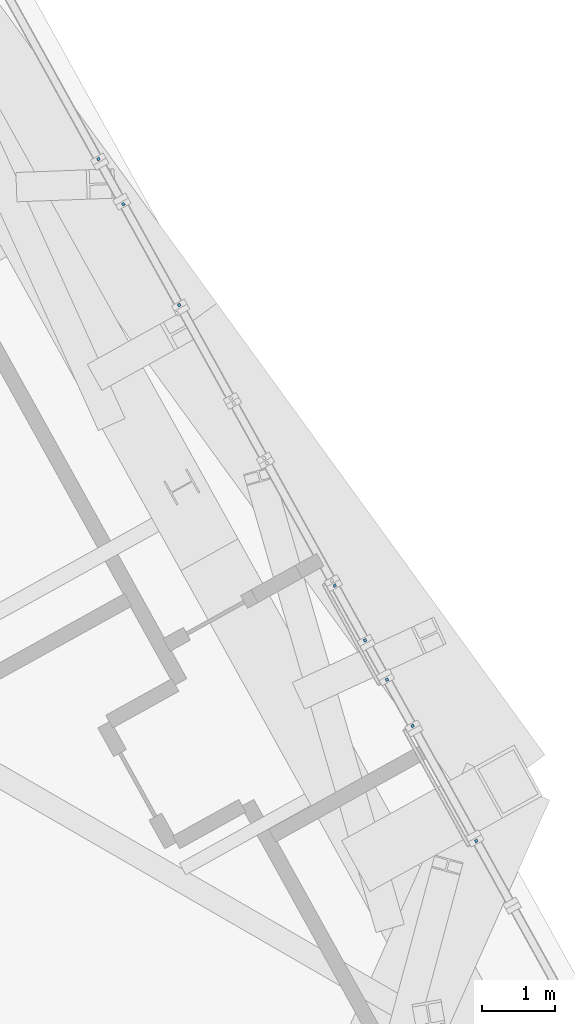
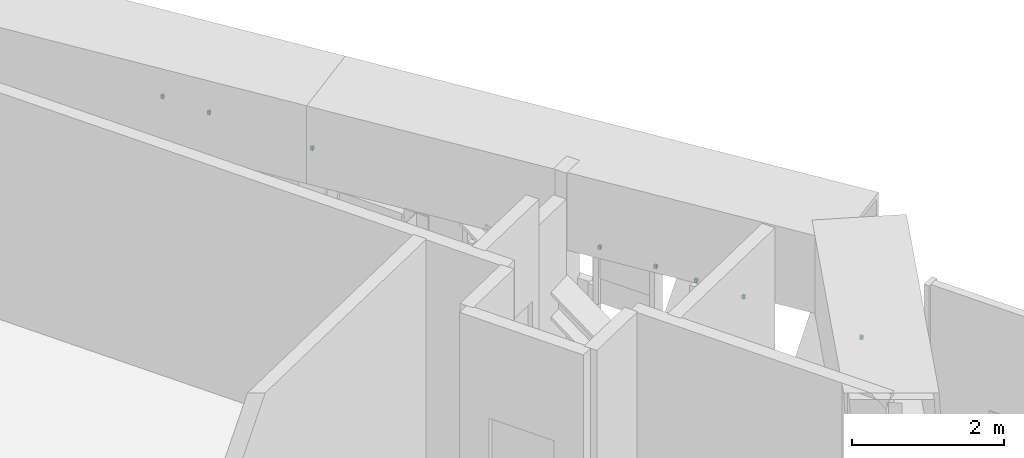
# One storey, part 24 of 28: 8 discrete accessories.
"""IFC4 building model written with IfcOpenShell, lengths in metres."""

import ifcopenshell
import ifcopenshell.guid

model = None  # the IFC model being written
_history = None  # IfcOwnerHistory: only IFC2X3 demands one
_inside = {}  # id of a spatial element -> (the spatial element, [elements in it])
_under = {}  # id of a project, library or spatial element -> (it, [spatial elements below it])
_declared = {}  # id of a project -> (the project, [libraries it declares])
_typed = {}  # id of a type object -> (the type object, [elements of that type])
_made_of = {}  # id of a material, layer set ... -> (it, [elements and type objects made of it])


def new_model(schema):
    """Start an empty IFC model of exactly this schema.

    Asked for "IFC4X3", IfcOpenShell would pick the latest addendum, in which some entities
    have other attributes; the version numbers below select the first issue.
    IFC2X3 requires an IfcOwnerHistory on every rooted entity: one is made here for all.
    """
    global model, _history
    if schema == "IFC4X3":
        model = ifcopenshell.file(schema_version=(4, 3, 0, 0))
    else:
        model = ifcopenshell.file(schema=schema)
    _inside.clear()
    _under.clear()
    _declared.clear()
    _typed.clear()
    _made_of.clear()
    _history = None
    if model.schema == "IFC2X3":
        org = make("IfcOrganization", Name="unknown")
        user = make(
            "IfcPersonAndOrganization",
            ThePerson=make("IfcPerson", FamilyName="unknown"),
            TheOrganization=org,
        )
        app = make(
            "IfcApplication",
            ApplicationDeveloper=org,
            Version="unknown",
            ApplicationFullName="unknown",
            ApplicationIdentifier="unknown",
        )
        _history = make(
            "IfcOwnerHistory",
            OwningUser=user,
            OwningApplication=app,
            ChangeAction="ADDED",
            CreationDate=0,
        )
    return model


def make(cls, **values):
    """One entity of the class cls with the attributes given. An attribute that is None is left unset."""
    return model.create_entity(
        cls, **{name: value for name, value in values.items() if value is not None}
    )


def rooted(cls, **values):
    """An entity with a GlobalId (a new one), such as an element, a storey or a relation."""
    return make(cls, GlobalId=ifcopenshell.guid.new(), OwnerHistory=_history, **values)


def si_unit(unit_type, name, prefix=None):
    """IfcSIUnit, for example si_unit("LENGTHUNIT", "METRE", prefix="MILLI")."""
    return make("IfcSIUnit", UnitType=unit_type, Prefix=prefix, Name=name)


def assignment(units):
    """IfcUnitAssignment: the units of a project."""
    return None if units is None else make("IfcUnitAssignment", Units=units)


def point(xyz):
    """IfcCartesianPoint."""
    return None if xyz is None else make("IfcCartesianPoint", Coordinates=xyz)


def direction(xyz):
    """IfcDirection."""
    return None if xyz is None else make("IfcDirection", DirectionRatios=xyz)


def frame(location, z_axis=None, x_axis=None):
    """IfcAxis2Placement3D, a coordinate frame: its origin and axes. An axis left out is left unset."""
    return make(
        "IfcAxis2Placement3D",
        Location=point(location),
        Axis=direction(z_axis),
        RefDirection=direction(x_axis),
    )


def frame_2d(location, x_axis=None):
    """IfcAxis2Placement2D, a coordinate frame in the plane: its origin and x axis."""
    return make(
        "IfcAxis2Placement2D", Location=point(location), RefDirection=direction(x_axis)
    )


def origin():
    """The frame at (0, 0, 0) with its axes left unset."""
    return frame((0.0, 0.0, 0.0))


def origin_2d():
    """The frame at (0, 0) in the plane with its x axis left unset."""
    return frame_2d((0.0, 0.0))


def place(relative_to, where):
    """IfcLocalPlacement: puts the frame where relative to a parent placement (None: the world)."""
    return make(
        "IfcLocalPlacement", PlacementRelTo=relative_to, RelativePlacement=where
    )


def context(
    kind, dimensions, precision=None, world=None, true_north=None, identifier=None
):
    """IfcGeometricRepresentationContext, for example the 3D "Model" context."""
    return make(
        "IfcGeometricRepresentationContext",
        ContextIdentifier=identifier,
        ContextType=kind,
        CoordinateSpaceDimension=dimensions,
        Precision=precision,
        WorldCoordinateSystem=world,
        TrueNorth=true_north,
    )


def subcontext(parent, identifier, kind, view, scale=None):
    """IfcGeometricRepresentationSubContext, for example "Body" below "Model"."""
    return make(
        "IfcGeometricRepresentationSubContext",
        ContextIdentifier=identifier,
        ContextType=kind,
        ParentContext=parent,
        TargetScale=scale,
        TargetView=view,
    )


def project(units=None, contexts=None):
    """IfcProject with its units and contexts."""
    return rooted(
        "IfcProject",
        Name="project",
        RepresentationContexts=contexts,
        UnitsInContext=assignment(units),
    )


def spatial(cls, under=None, at=None, **own):
    """A site, building, storey or space (cls), placed at a placement, below another one or the project."""
    s = rooted(cls, ObjectPlacement=at, **own)
    if under is not None:
        _under.setdefault(under.id(), (under, []))[1].append(s)
    return s


def profile(cls, at=None, kind="AREA", **sizes):
    """A parametric profile (cls). Its sizes go by their IFC names, for example OverallWidth=200.0."""
    return make(cls, ProfileType=kind, Position=at, **sizes)


def rectangle(**sizes):
    """IfcRectangleProfileDef."""
    return profile("IfcRectangleProfileDef", **sizes)


def extrude(swept, where, along, depth):
    """IfcExtrudedAreaSolid: the profile swept, set in the frame where, extruded along a direction by depth."""
    return make(
        "IfcExtrudedAreaSolid",
        SweptArea=swept,
        Position=where,
        ExtrudedDirection=direction(along),
        Depth=depth,
    )


def shape(context_of_items, identifier, shape_type, items):
    """IfcShapeRepresentation: the items that make up one representation, for example the "Body"."""
    return make(
        "IfcShapeRepresentation",
        ContextOfItems=context_of_items,
        RepresentationIdentifier=identifier,
        RepresentationType=shape_type,
        Items=items,
    )


def source(mapping_origin, context_of_items, identifier, shape_type, items):
    """IfcRepresentationMap: a shape defined once, which mapped items show again and again."""
    return make(
        "IfcRepresentationMap",
        MappingOrigin=mapping_origin,
        MappedRepresentation=shape(context_of_items, identifier, shape_type, items),
    )


def transform(
    local_origin,
    x_axis=None,
    y_axis=None,
    z_axis=None,
    scale=None,
    scale2=None,
    scale3=None,
    uniform=True,
):
    """IfcCartesianTransformationOperator3D, or its non-uniform kind. x_axis, y_axis, z_axis: its Axis1, 2, 3."""
    if uniform:
        return make(
            "IfcCartesianTransformationOperator3D",
            Axis1=direction(x_axis),
            Axis2=direction(y_axis),
            LocalOrigin=point(local_origin),
            Scale=scale,
            Axis3=direction(z_axis),
        )
    return make(
        "IfcCartesianTransformationOperator3DnonUniform",
        Axis1=direction(x_axis),
        Axis2=direction(y_axis),
        LocalOrigin=point(local_origin),
        Scale=scale,
        Axis3=direction(z_axis),
        Scale2=scale2,
        Scale3=scale3,
    )


def mapped(mapping_source, mapping_target):
    """IfcMappedItem: shows the shape of a source again, moved by a transform."""
    return make(
        "IfcMappedItem", MappingSource=mapping_source, MappingTarget=mapping_target
    )


def material(Name=None, Category=None):
    """IfcMaterial."""
    return make("IfcMaterial", Name=Name, Category=Category)


def made_of(thing, what):
    """Note that an element or type object is made of a material, layer set ...; save() writes the relation."""
    if what is not None:
        _made_of.setdefault(what.id(), (what, []))[1].append(thing)
    return thing


def element(
    cls,
    number,
    at=None,
    inside=None,
    cuts=None,
    type_object=None,
    material=None,
    context=None,
    identifier="Body",
    shape_type=None,
    held_by="IfcProductDefinitionShape",
    body=None,
    shapes=None,
    **own,
):
    """One element of the class cls, such as IfcWall. Its Tag is "e" and its number.

    at: its placement. inside: the storey or other place that contains it. cuts: it is an
    opening in that element (IfcRelVoidsElement). A single representation is given by context,
    identifier, shape_type and body (its items); several are given by shapes. held_by: the class
    of the entity that holds the representations. save() writes the other relations.
    """
    e = rooted(cls, Tag="e%d" % number, ObjectPlacement=at, **own)
    if body is not None:
        shapes = [shape(context, identifier, shape_type, body)]
    if shapes is not None:
        e.Representation = make(held_by, Representations=shapes)
    if inside is not None:
        _inside.setdefault(inside.id(), (inside, []))[1].append(e)
    if cuts is not None:
        rooted(
            "IfcRelVoidsElement", RelatingBuildingElement=cuts, RelatedOpeningElement=e
        )
    if type_object is not None:
        _typed.setdefault(type_object.id(), (type_object, []))[1].append(e)
    return made_of(e, material)


def aggregate(whole, parts):
    """IfcRelAggregates: a whole, such as a stair, and the parts it consists of."""
    return rooted("IfcRelAggregates", RelatingObject=whole, RelatedObjects=parts)


def save(model, path):
    """Write the relations noted so far, then the file.

    IfcRelAggregates (storeys below a building ...), IfcRelContainedInSpatialStructure (elements
    in a storey), IfcRelDefinesByType, IfcRelAssociatesMaterial and IfcRelDeclares: one each for
    every whole, place, type object, material and project.
    """
    for whole, parts in _under.values():
        aggregate(whole, parts)
    for where, things in _inside.values():
        rooted(
            "IfcRelContainedInSpatialStructure",
            RelatedElements=things,
            RelatingStructure=where,
        )
    for kind, things in _typed.values():
        rooted("IfcRelDefinesByType", RelatedObjects=things, RelatingType=kind)
    for what, things in _made_of.values():
        rooted("IfcRelAssociatesMaterial", RelatedObjects=things, RelatingMaterial=what)
    for by, libraries in _declared.values():
        rooted("IfcRelDeclares", RelatingContext=by, RelatedDefinitions=libraries)
    model.write(path)


model = new_model("IFC4")

# Units and contexts
model_context = context("Model", 3, precision=1e-05, world=origin(), true_north=direction((0.0, 1.0)))
body_context = subcontext(model_context, "Body", "Model", "MODEL_VIEW")
ifc_project = project(units=[si_unit("LENGTHUNIT", "METRE"), si_unit("AREAUNIT", "SQUARE_METRE"), si_unit("VOLUMEUNIT", "CUBIC_METRE"), si_unit("PLANEANGLEUNIT", "RADIAN"), si_unit("MASSUNIT", "GRAM", prefix="KILO")], contexts=[model_context])

# Site, building, storey
site_placement = place(None, origin())
site = spatial("IfcSite", under=ifc_project, at=site_placement, CompositionType="ELEMENT")
building_placement = place(site_placement, origin())
building = spatial("IfcBuilding", under=site, at=building_placement, Name="Triune Harvest Tower", CompositionType="ELEMENT")
storey_placement = place(building_placement, frame((0.0, 0.0, 215.89990234375)))
storey = spatial("IfcBuildingStorey", under=building, at=storey_placement, Name="L56", CompositionType="ELEMENT", Elevation=215.89990234375)

# Discrete accessories
ifc_material = material(Name="Steel ASTM A992 Gr 50", Category="steel")
shared_shape = source(origin(), body_context, "Body", "SweptSolid", [
    extrude(rectangle(XDim=0.0400390625, YDim=0.0400390625, at=origin_2d()), origin(), (0.0, 0.0, 1.0), 0.06005859375),
])
for number, where, z_axis, x_axis, name in (
    (1, (28.302734375, -8.409912109375, 2.330078125), (0.0, 0.0, 1.0), (-0.484817252725, 0.874615476344, 0.0), "Mullion end bracket B5-F1 L56.101 upper"),
    (2, (27.426513671875, -6.828857421875, 2.330078125), (0.0, 0.0, 1.0), (-0.484896628311, 0.874571472124, 0.0), "Mullion end bracket B5-F1 L56.301 upper"),
    (3, (27.07373046875, -6.192626953125, 2.330078125), (0.0, 0.0, 1.0), (-0.484896628311, 0.874571472124, 0.0), "Mullion end bracket B5-F1 L56.301 upper"),
    (4, (26.773193359375, -5.650390625, 2.330078125), (0.0, 0.0, 1.0), (-0.484811146745, 0.874618860986, 0.0), "Mullion end bracket B5-F1 L56.601 upper"),
    (5, (26.356201171875, -4.898193359375, 2.330078125), (0.0, 0.0, 1.0), (-0.484811146745, 0.874618860986, 0.0), "Mullion end bracket B5-F1 L56.601 upper"),
    (6, (24.216796875, -1.03857421875, 2.330078125), (0.0, 0.0, 1.0), (-0.484791302148, 0.874629860777, 0.0), "Mullion end bracket B5-F1 L56.1001 upper"),
    (7, (23.447998046875, 0.3486328125, 2.330078125), (0.0, 0.0, 1.0), (-0.484791302148, 0.874629860777, 0.0), "Mullion end bracket B5-F1 L56.1001 upper"),
    (8, (23.10400390625, 0.968994140625, 2.330078125), (0.0, 0.0, 1.0), (-0.484820305706, 0.874613784007, 0.0), "Mullion end bracket B5-F1 L56.1201 upper"),
):
    element("IfcDiscreteAccessory", number, at=place(storey_placement, frame(where, z_axis=z_axis, x_axis=x_axis)), inside=storey, material=ifc_material, Name=name, ObjectType="BRACKET", PredefinedType="USERDEFINED", context=body_context, shape_type="MappedRepresentation", body=[
        mapped(shared_shape, transform((0.0, 0.0, 0.0), scale=1.0)),
    ])

save(model, "model.ifc")
